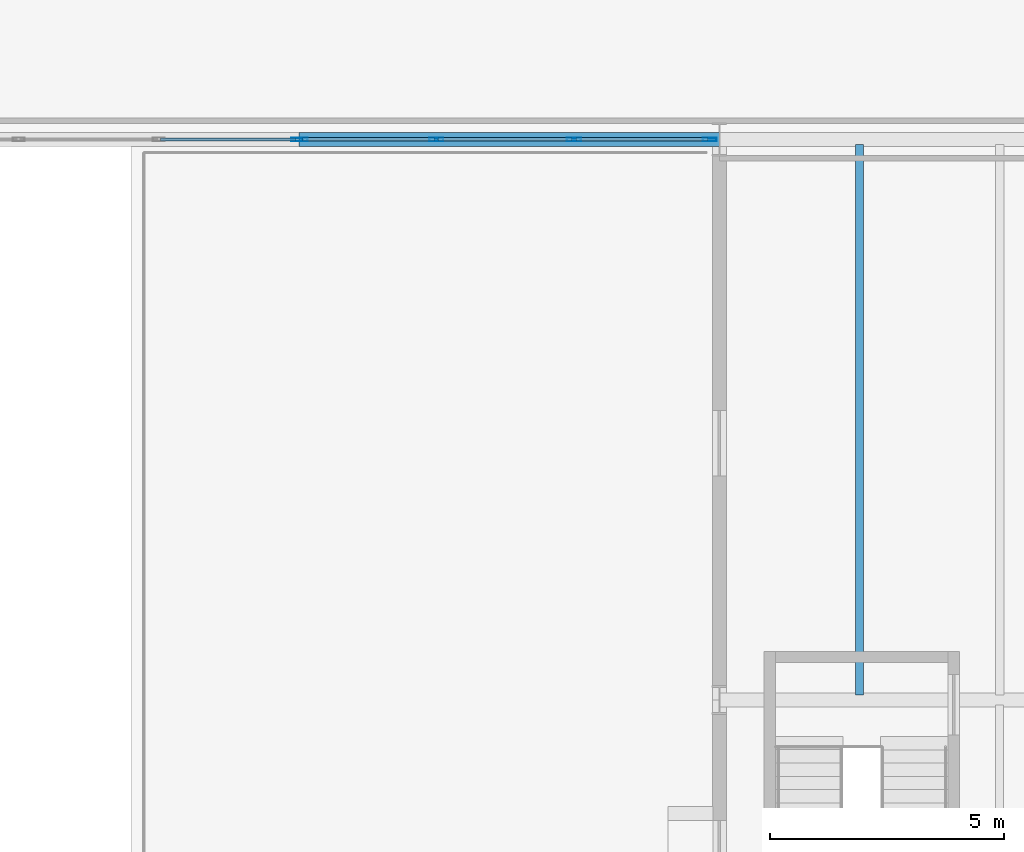
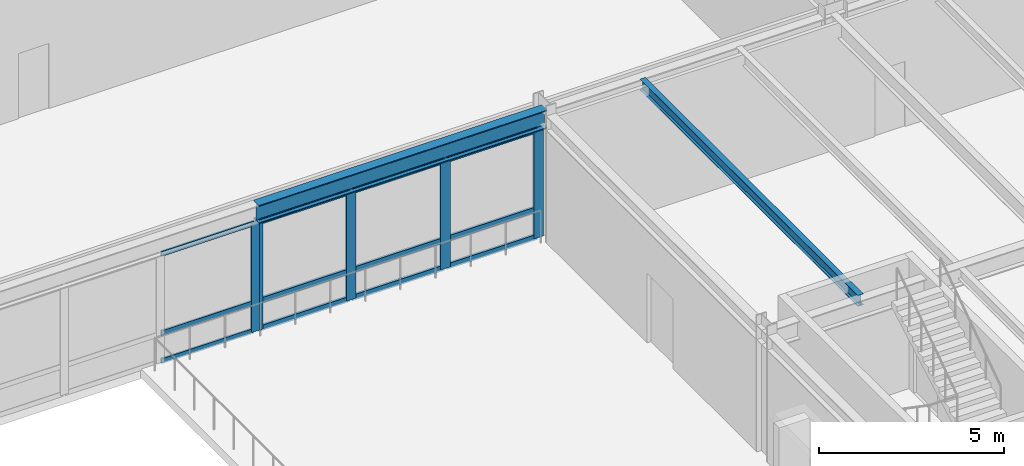
# One storey, part 13 of 142: 17 members, 2 beams, 2 elements without a shape of their own.
"""IFC4 building model written with IfcOpenShell, lengths in metres."""

from ifc_helpers import new_model, si_unit, direction, frame, origin, origin_2d, place, context, subcontext, project, spatial, hollow_rectangle, i_section, extrude, material, layer, layer_set, material_profile, profile_set, type_object, element, aggregate, save


model = new_model("IFC4")

# Units and contexts
model_context = context("Model", 3, precision=1e-05, world=origin(), true_north=direction((0.0, 1.0)))
body_context = subcontext(model_context, "Body", "Model", "MODEL_VIEW")
ifc_project = project(units=[si_unit("LENGTHUNIT", "METRE"), si_unit("AREAUNIT", "SQUARE_METRE"), si_unit("VOLUMEUNIT", "CUBIC_METRE"), si_unit("PLANEANGLEUNIT", "RADIAN"), si_unit("MASSUNIT", "GRAM", prefix="KILO")], contexts=[model_context])

# Site, building, storey
site_placement = place(None, origin())
site = spatial("IfcSite", under=ifc_project, at=site_placement, CompositionType="ELEMENT")
building_placement = place(site_placement, origin())
building = spatial("IfcBuilding", under=site, at=building_placement, Name="Montelvaro Courts of Justice", CompositionType="ELEMENT")
storey_placement = place(building_placement, frame((0.0, 0.0, 14.39990234375)))
storey = spatial("IfcBuildingStorey", under=building, at=storey_placement, Name="L03", CompositionType="ELEMENT", Elevation=14.39990234375)

# Beams
ifc_material_1 = material(Name="Steel S355", Category="steel")
ifc_material_profile_1 = material_profile(ifc_material_1, i_section(OverallWidth=0.300048828125, OverallDepth=0.60009765625, WebThickness=0.015380859375, FlangeThickness=0.030029296875, at=origin_2d()), Name="HEB 600")
ifc_profile_set_1 = profile_set([ifc_material_profile_1], Name="Steel S355")
beam_type_1 = type_object("IfcBeamType", Name="Beam_HEB600", PredefinedType="USERDEFINED", material=ifc_profile_set_1)
beam_1_placement = place(storey_placement, frame((36.0, 24.0, 3.900146484375), z_axis=(1.0, 0.0, 0.0), x_axis=(0.0, 1.0, 0.0)))
element("IfcBeam", 1, at=beam_1_placement, inside=storey, type_object=beam_type_1, Name="V3 Roof Eave Girder", ObjectType="GIRDER", PredefinedType="USERDEFINED", context=body_context, shape_type="SweptSolid", body=[
    extrude(i_section(OverallWidth=0.300048828125, OverallDepth=0.60009765625, WebThickness=0.015380859375, FlangeThickness=0.030029296875, at=origin_2d()), origin(), (0.0, 0.0, 1.0), 9.0),
])
ifc_material_profile_2 = material_profile(ifc_material_1, i_section(OverallWidth=0.169921875, OverallDepth=0.360107421875, WebThickness=0.008056640625, FlangeThickness=0.0126953125, at=origin_2d()), Name="IPE 360")
ifc_profile_set_2 = profile_set([ifc_material_profile_2], Name="Steel S355")
beam_type_2 = type_object("IfcBeamType", Name="Beam_IPE360", PredefinedType="BEAM", material=ifc_profile_set_2)
beam_2_placement = place(storey_placement, frame((48.0, 12.110107421875, 4.0), z_axis=(0.0, 1.0, 0.0), x_axis=(-1.0, 0.0, 0.0)))
element("IfcBeam", 2, at=beam_2_placement, inside=storey, type_object=beam_type_2, Name="Beam B-07 L03", PredefinedType="BEAM", context=body_context, shape_type="SweptSolid", body=[
    extrude(i_section(OverallWidth=0.169921875, OverallDepth=0.360107421875, WebThickness=0.008056640625, FlangeThickness=0.0126953125, at=origin_2d()), origin(), (0.0, 0.0, 1.0), 11.77978515625),
])

# Curtain wall, member
ifc_material_2 = material(Name="Anodised aluminium EN AW-6063", Category="aluminium")
ifc_layer_1 = layer(ifc_material_2, 0.159912109375)
ifc_layer_set_1 = layer_set([ifc_layer_1], Name="Anodised aluminium EN AW-6063")
curtain_wall_type_1 = type_object("IfcCurtainWallType", Name="CurtainWall_31_900x418", PredefinedType="USERDEFINED", material=ifc_layer_set_1)
curtain_wall_1_placement = place(storey_placement, origin())
curtain_wall_1 = element("IfcCurtainWall", 3, at=curtain_wall_1_placement, inside=storey, type_object=curtain_wall_type_1, Name="Curtain Wall CW-31 (L03)", ObjectType="CURTAIN WALL", PredefinedType="USERDEFINED")
ifc_material_profile_3 = material_profile(ifc_material_2, hollow_rectangle(XDim=0.074951171875, YDim=0.25, WallThickness=0.005615234375, at=origin_2d()), Name="ALU-M 75x250")
ifc_profile_set_3 = profile_set([ifc_material_profile_3], Name="Anodised aluminium EN AW-6063")
member_type_1 = type_object("IfcMemberType", Name="CurtainWall_Mullion_75x250", PredefinedType="MULLION", material=ifc_profile_set_3)
member_1_placement = place(storey_placement, frame((35.96240234375, 24.0, 0.0), z_axis=(0.0, 0.0, 1.0), x_axis=(0.0, 1.0, 0.0)))
member_1 = element("IfcMember", 4, at=member_1_placement, type_object=member_type_1, Name="CW-31 mullion 4", PredefinedType="MULLION", context=body_context, shape_type="SweptSolid", body=[
    extrude(hollow_rectangle(XDim=0.074951171875, YDim=0.25, WallThickness=0.005615234375, at=origin_2d()), origin(), (0.0, 0.0, 1.0), 3.59521484375),
])

# Curtain wall, members
ifc_layer_2 = layer(ifc_material_2, 0.159912109375)
ifc_layer_set_2 = layer_set([ifc_layer_2], Name="Anodised aluminium EN AW-6063")
curtain_wall_type_2 = type_object("IfcCurtainWallType", Name="CurtainWall_32_883x418", PredefinedType="USERDEFINED", material=ifc_layer_set_2)
curtain_wall_2_placement = place(storey_placement, origin())
curtain_wall_2 = element("IfcCurtainWall", 5, at=curtain_wall_2_placement, inside=storey, type_object=curtain_wall_type_2, Name="Curtain Wall CW-32 (L03)", ObjectType="CURTAIN WALL", PredefinedType="USERDEFINED")
ifc_material_profile_4 = material_profile(ifc_material_2, hollow_rectangle(XDim=0.074951171875, YDim=0.300048828125, WallThickness=0.006103515625, at=origin_2d()), Name="ALU-M 75x300")
ifc_profile_set_4 = profile_set([ifc_material_profile_4], Name="Anodised aluminium EN AW-6063")
member_type_2 = type_object("IfcMemberType", Name="CurtainWall_Mullion_75x300", PredefinedType="MULLION", material=ifc_profile_set_4)
member_2_placement = place(storey_placement, frame((36.03759765625, 24.0, 0.0), z_axis=(0.0, 0.0, 1.0), x_axis=(0.0, 1.0, 0.0)))
member_2 = element("IfcMember", 6, at=member_2_placement, type_object=member_type_2, Name="CW-32 mullion 1", PredefinedType="MULLION", context=body_context, shape_type="SweptSolid", body=[
    extrude(hollow_rectangle(XDim=0.074951171875, YDim=0.300048828125, WallThickness=0.006103515625, at=origin_2d()), origin(), (0.0, 0.0, 1.0), 3.59521484375),
])
member_3_placement = place(storey_placement, frame((38.9443359375, 24.0, 0.0), z_axis=(0.0, 0.0, 1.0), x_axis=(0.0, 1.0, 0.0)))
member_3 = element("IfcMember", 7, at=member_3_placement, type_object=member_type_2, Name="CW-32 mullion 2", PredefinedType="MULLION", context=body_context, shape_type="SweptSolid", body=[
    extrude(hollow_rectangle(XDim=0.074951171875, YDim=0.300048828125, WallThickness=0.006103515625, at=origin_2d()), origin(), (0.0, 0.0, 1.0), 3.59521484375),
])
member_4_placement = place(storey_placement, frame((41.888671875, 24.0, 0.0), z_axis=(0.0, 0.0, 1.0), x_axis=(0.0, 1.0, 0.0)))
member_4 = element("IfcMember", 8, at=member_4_placement, type_object=member_type_2, Name="CW-32 mullion 3", PredefinedType="MULLION", context=body_context, shape_type="SweptSolid", body=[
    extrude(hollow_rectangle(XDim=0.074951171875, YDim=0.300048828125, WallThickness=0.006103515625, at=origin_2d()), origin(), (0.0, 0.0, 1.0), 3.59521484375),
])
member_5_placement = place(storey_placement, frame((44.79541015625, 24.0, 0.0), z_axis=(0.0, 0.0, 1.0), x_axis=(0.0, 1.0, 0.0)))
member_5 = element("IfcMember", 9, at=member_5_placement, type_object=member_type_2, Name="CW-32 mullion 4", PredefinedType="MULLION", context=body_context, shape_type="SweptSolid", body=[
    extrude(hollow_rectangle(XDim=0.074951171875, YDim=0.300048828125, WallThickness=0.006103515625, at=origin_2d()), origin(), (0.0, 0.0, 1.0), 3.59521484375),
])

# Member
ifc_material_profile_5 = material_profile(ifc_material_2, hollow_rectangle(XDim=0.06005859375, YDim=0.159912109375, WallThickness=0.00439453125, at=origin_2d()), Name="ALU-T 60x160")
ifc_profile_set_5 = profile_set([ifc_material_profile_5], Name="Anodised aluminium EN AW-6063")
member_type_3 = type_object("IfcMemberType", Name="CurtainWall_Transom_60x160", PredefinedType="USERDEFINED", material=ifc_profile_set_5)
member_6_placement = place(storey_placement, frame((33.03759765625, 24.0, 0.030029296875), z_axis=(1.0, 0.0, 0.0), x_axis=(0.0, 1.0, 0.0)))
member_6 = element("IfcMember", 10, at=member_6_placement, type_object=member_type_3, Name="CW-31 transom 3.1", ObjectType="TRANSOM", PredefinedType="USERDEFINED", context=body_context, shape_type="SweptSolid", body=[
    extrude(hollow_rectangle(XDim=0.06005859375, YDim=0.159912109375, WallThickness=0.00439453125, at=origin_2d()), origin(), (0.0, 0.0, 1.0), 2.887451171875),
])

member_7_placement = place(storey_placement, frame((33.03759765625, 24.0, 0.9501953125), z_axis=(1.0, 0.0, 0.0), x_axis=(0.0, 1.0, 0.0)))
member_7 = element("IfcMember", 11, at=member_7_placement, type_object=member_type_3, Name="CW-31 transom 3.2", ObjectType="TRANSOM", PredefinedType="USERDEFINED", context=body_context, shape_type="SweptSolid", body=[
    extrude(hollow_rectangle(XDim=0.06005859375, YDim=0.159912109375, WallThickness=0.00439453125, at=origin_2d()), origin(), (0.0, 0.0, 1.0), 2.887451171875),
])

member_8_placement = place(storey_placement, frame((33.03759765625, 24.0, 3.565185546875), z_axis=(1.0, 0.0, 0.0), x_axis=(0.0, 1.0, 0.0)))
member_8 = element("IfcMember", 12, at=member_8_placement, type_object=member_type_3, Name="CW-31 transom 3.3", ObjectType="TRANSOM", PredefinedType="USERDEFINED", context=body_context, shape_type="SweptSolid", body=[
    extrude(hollow_rectangle(XDim=0.06005859375, YDim=0.159912109375, WallThickness=0.00439453125, at=origin_2d()), origin(), (0.0, 0.0, 1.0), 2.887451171875),
])

aggregate(curtain_wall_1, [member_1, member_6, member_7, member_8])

ifc_material_profile_6 = material_profile(ifc_material_2, hollow_rectangle(XDim=0.074951171875, YDim=0.179931640625, WallThickness=0.0048828125, at=origin_2d()), Name="ALU-T 75x180")
ifc_profile_set_6 = profile_set([ifc_material_profile_6], Name="Anodised aluminium EN AW-6063")
member_type_4 = type_object("IfcMemberType", Name="CurtainWall_Transom_75x180", PredefinedType="USERDEFINED", material=ifc_profile_set_6)
member_9_placement = place(storey_placement, frame((36.074951171875, 24.0, 0.03759765625), z_axis=(1.0, 0.0, 0.0), x_axis=(0.0, 1.0, 0.0)))
member_9 = element("IfcMember", 13, at=member_9_placement, type_object=member_type_4, Name="CW-32 transom 1.1", ObjectType="TRANSOM", PredefinedType="USERDEFINED", context=body_context, shape_type="SweptSolid", body=[
    extrude(hollow_rectangle(XDim=0.074951171875, YDim=0.179931640625, WallThickness=0.0048828125, at=origin_2d()), origin(), (0.0, 0.0, 1.0), 2.831787109375),
])

member_10_placement = place(storey_placement, frame((36.074951171875, 24.0, 0.9501953125), z_axis=(1.0, 0.0, 0.0), x_axis=(0.0, 1.0, 0.0)))
member_10 = element("IfcMember", 14, at=member_10_placement, type_object=member_type_4, Name="CW-32 transom 1.2", ObjectType="TRANSOM", PredefinedType="USERDEFINED", context=body_context, shape_type="SweptSolid", body=[
    extrude(hollow_rectangle(XDim=0.074951171875, YDim=0.179931640625, WallThickness=0.0048828125, at=origin_2d()), origin(), (0.0, 0.0, 1.0), 2.831787109375),
])

member_11_placement = place(storey_placement, frame((36.074951171875, 24.0, 3.5576171875), z_axis=(1.0, 0.0, 0.0), x_axis=(0.0, 1.0, 0.0)))
member_11 = element("IfcMember", 15, at=member_11_placement, type_object=member_type_4, Name="CW-32 transom 1.3", ObjectType="TRANSOM", PredefinedType="USERDEFINED", context=body_context, shape_type="SweptSolid", body=[
    extrude(hollow_rectangle(XDim=0.074951171875, YDim=0.179931640625, WallThickness=0.0048828125, at=origin_2d()), origin(), (0.0, 0.0, 1.0), 2.831787109375),
])

member_12_placement = place(storey_placement, frame((38.98193359375, 24.0, 0.03759765625), z_axis=(1.0, 0.0, 0.0), x_axis=(0.0, 1.0, 0.0)))
member_12 = element("IfcMember", 16, at=member_12_placement, type_object=member_type_4, Name="CW-32 transom 2.1", ObjectType="TRANSOM", PredefinedType="USERDEFINED", context=body_context, shape_type="SweptSolid", body=[
    extrude(hollow_rectangle(XDim=0.074951171875, YDim=0.179931640625, WallThickness=0.0048828125, at=origin_2d()), origin(), (0.0, 0.0, 1.0), 2.869140625),
])

member_13_placement = place(storey_placement, frame((38.98193359375, 24.0, 0.9501953125), z_axis=(1.0, 0.0, 0.0), x_axis=(0.0, 1.0, 0.0)))
member_13 = element("IfcMember", 17, at=member_13_placement, type_object=member_type_4, Name="CW-32 transom 2.2", ObjectType="TRANSOM", PredefinedType="USERDEFINED", context=body_context, shape_type="SweptSolid", body=[
    extrude(hollow_rectangle(XDim=0.074951171875, YDim=0.179931640625, WallThickness=0.0048828125, at=origin_2d()), origin(), (0.0, 0.0, 1.0), 2.869140625),
])

member_14_placement = place(storey_placement, frame((38.98193359375, 24.0, 3.5576171875), z_axis=(1.0, 0.0, 0.0), x_axis=(0.0, 1.0, 0.0)))
member_14 = element("IfcMember", 18, at=member_14_placement, type_object=member_type_4, Name="CW-32 transom 2.3", ObjectType="TRANSOM", PredefinedType="USERDEFINED", context=body_context, shape_type="SweptSolid", body=[
    extrude(hollow_rectangle(XDim=0.074951171875, YDim=0.179931640625, WallThickness=0.0048828125, at=origin_2d()), origin(), (0.0, 0.0, 1.0), 2.869140625),
])

member_15_placement = place(storey_placement, frame((41.92626953125, 24.0, 0.03759765625), z_axis=(1.0, 0.0, 0.0), x_axis=(0.0, 1.0, 0.0)))
member_15 = element("IfcMember", 19, at=member_15_placement, type_object=member_type_4, Name="CW-32 transom 3.1", ObjectType="TRANSOM", PredefinedType="USERDEFINED", context=body_context, shape_type="SweptSolid", body=[
    extrude(hollow_rectangle(XDim=0.074951171875, YDim=0.179931640625, WallThickness=0.0048828125, at=origin_2d()), origin(), (0.0, 0.0, 1.0), 2.831787109375),
])

member_16_placement = place(storey_placement, frame((41.92626953125, 24.0, 0.9501953125), z_axis=(1.0, 0.0, 0.0), x_axis=(0.0, 1.0, 0.0)))
member_16 = element("IfcMember", 20, at=member_16_placement, type_object=member_type_4, Name="CW-32 transom 3.2", ObjectType="TRANSOM", PredefinedType="USERDEFINED", context=body_context, shape_type="SweptSolid", body=[
    extrude(hollow_rectangle(XDim=0.074951171875, YDim=0.179931640625, WallThickness=0.0048828125, at=origin_2d()), origin(), (0.0, 0.0, 1.0), 2.831787109375),
])

member_17_placement = place(storey_placement, frame((41.92626953125, 24.0, 3.5576171875), z_axis=(1.0, 0.0, 0.0), x_axis=(0.0, 1.0, 0.0)))
member_17 = element("IfcMember", 21, at=member_17_placement, type_object=member_type_4, Name="CW-32 transom 3.3", ObjectType="TRANSOM", PredefinedType="USERDEFINED", context=body_context, shape_type="SweptSolid", body=[
    extrude(hollow_rectangle(XDim=0.074951171875, YDim=0.179931640625, WallThickness=0.0048828125, at=origin_2d()), origin(), (0.0, 0.0, 1.0), 2.831787109375),
])

aggregate(curtain_wall_2, [member_2, member_3, member_4, member_5, member_9, member_10, member_11, member_12, member_13, member_14, member_15, member_16, member_17])

save(model, "model.ifc")
